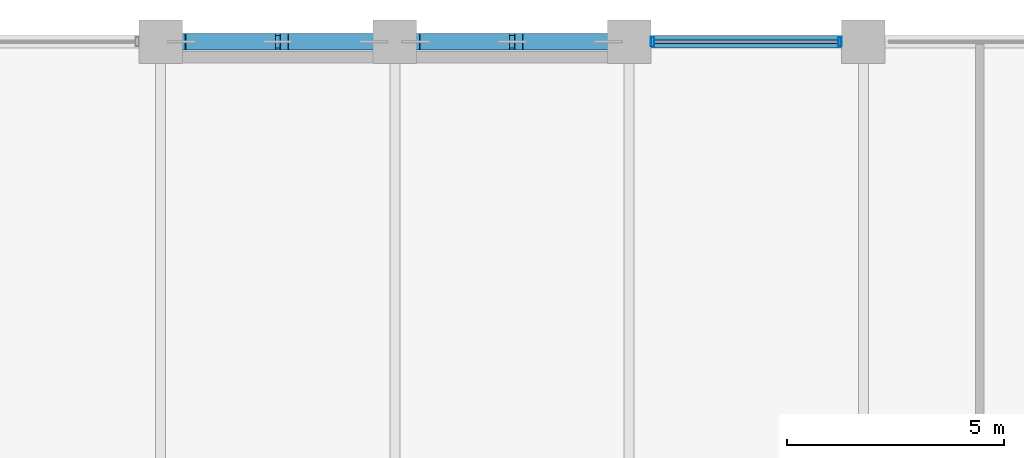
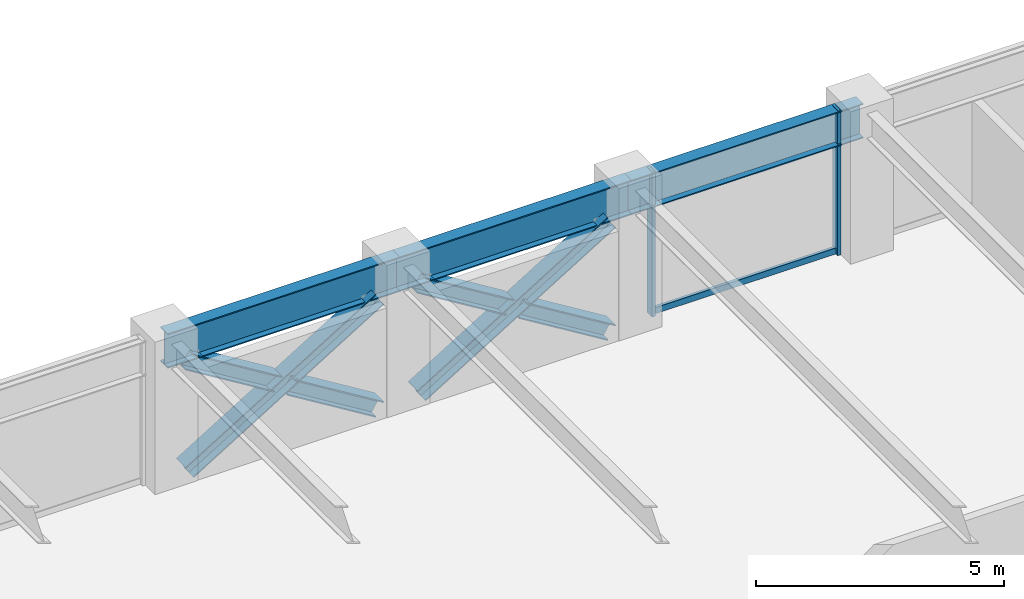
# One storey, part 18 of 29: 9 members, 3 beams, 1 element without a shape of its own.
"""IFC4 building model written with IfcOpenShell, lengths in metres."""

import ifcopenshell
import ifcopenshell.guid

model = None  # the IFC model being written
_history = None  # IfcOwnerHistory: only IFC2X3 demands one
_inside = {}  # id of a spatial element -> (the spatial element, [elements in it])
_under = {}  # id of a project, library or spatial element -> (it, [spatial elements below it])
_declared = {}  # id of a project -> (the project, [libraries it declares])
_typed = {}  # id of a type object -> (the type object, [elements of that type])
_made_of = {}  # id of a material, layer set ... -> (it, [elements and type objects made of it])


def new_model(schema):
    """Start an empty IFC model of exactly this schema.

    Asked for "IFC4X3", IfcOpenShell would pick the latest addendum, in which some entities
    have other attributes; the version numbers below select the first issue.
    IFC2X3 requires an IfcOwnerHistory on every rooted entity: one is made here for all.
    """
    global model, _history
    if schema == "IFC4X3":
        model = ifcopenshell.file(schema_version=(4, 3, 0, 0))
    else:
        model = ifcopenshell.file(schema=schema)
    _inside.clear()
    _under.clear()
    _declared.clear()
    _typed.clear()
    _made_of.clear()
    _history = None
    if model.schema == "IFC2X3":
        org = make("IfcOrganization", Name="unknown")
        user = make(
            "IfcPersonAndOrganization",
            ThePerson=make("IfcPerson", FamilyName="unknown"),
            TheOrganization=org,
        )
        app = make(
            "IfcApplication",
            ApplicationDeveloper=org,
            Version="unknown",
            ApplicationFullName="unknown",
            ApplicationIdentifier="unknown",
        )
        _history = make(
            "IfcOwnerHistory",
            OwningUser=user,
            OwningApplication=app,
            ChangeAction="ADDED",
            CreationDate=0,
        )
    return model


def make(cls, **values):
    """One entity of the class cls with the attributes given. An attribute that is None is left unset."""
    return model.create_entity(
        cls, **{name: value for name, value in values.items() if value is not None}
    )


def rooted(cls, **values):
    """An entity with a GlobalId (a new one), such as an element, a storey or a relation."""
    return make(cls, GlobalId=ifcopenshell.guid.new(), OwnerHistory=_history, **values)


def si_unit(unit_type, name, prefix=None):
    """IfcSIUnit, for example si_unit("LENGTHUNIT", "METRE", prefix="MILLI")."""
    return make("IfcSIUnit", UnitType=unit_type, Prefix=prefix, Name=name)


def assignment(units):
    """IfcUnitAssignment: the units of a project."""
    return None if units is None else make("IfcUnitAssignment", Units=units)


def point(xyz):
    """IfcCartesianPoint."""
    return None if xyz is None else make("IfcCartesianPoint", Coordinates=xyz)


def direction(xyz):
    """IfcDirection."""
    return None if xyz is None else make("IfcDirection", DirectionRatios=xyz)


def frame(location, z_axis=None, x_axis=None):
    """IfcAxis2Placement3D, a coordinate frame: its origin and axes. An axis left out is left unset."""
    return make(
        "IfcAxis2Placement3D",
        Location=point(location),
        Axis=direction(z_axis),
        RefDirection=direction(x_axis),
    )


def frame_2d(location, x_axis=None):
    """IfcAxis2Placement2D, a coordinate frame in the plane: its origin and x axis."""
    return make(
        "IfcAxis2Placement2D", Location=point(location), RefDirection=direction(x_axis)
    )


def origin():
    """The frame at (0, 0, 0) with its axes left unset."""
    return frame((0.0, 0.0, 0.0))


def origin_2d():
    """The frame at (0, 0) in the plane with its x axis left unset."""
    return frame_2d((0.0, 0.0))


def place(relative_to, where):
    """IfcLocalPlacement: puts the frame where relative to a parent placement (None: the world)."""
    return make(
        "IfcLocalPlacement", PlacementRelTo=relative_to, RelativePlacement=where
    )


def context(
    kind, dimensions, precision=None, world=None, true_north=None, identifier=None
):
    """IfcGeometricRepresentationContext, for example the 3D "Model" context."""
    return make(
        "IfcGeometricRepresentationContext",
        ContextIdentifier=identifier,
        ContextType=kind,
        CoordinateSpaceDimension=dimensions,
        Precision=precision,
        WorldCoordinateSystem=world,
        TrueNorth=true_north,
    )


def subcontext(parent, identifier, kind, view, scale=None):
    """IfcGeometricRepresentationSubContext, for example "Body" below "Model"."""
    return make(
        "IfcGeometricRepresentationSubContext",
        ContextIdentifier=identifier,
        ContextType=kind,
        ParentContext=parent,
        TargetScale=scale,
        TargetView=view,
    )


def project(units=None, contexts=None):
    """IfcProject with its units and contexts."""
    return rooted(
        "IfcProject",
        Name="project",
        RepresentationContexts=contexts,
        UnitsInContext=assignment(units),
    )


def spatial(cls, under=None, at=None, **own):
    """A site, building, storey or space (cls), placed at a placement, below another one or the project."""
    s = rooted(cls, ObjectPlacement=at, **own)
    if under is not None:
        _under.setdefault(under.id(), (under, []))[1].append(s)
    return s


def profile(cls, at=None, kind="AREA", **sizes):
    """A parametric profile (cls). Its sizes go by their IFC names, for example OverallWidth=200.0."""
    return make(cls, ProfileType=kind, Position=at, **sizes)


def hollow_rectangle(**sizes):
    """IfcRectangleHollowProfileDef."""
    return profile("IfcRectangleHollowProfileDef", **sizes)


def i_section(**sizes):
    """IfcIShapeProfileDef."""
    return profile("IfcIShapeProfileDef", **sizes)


def extrude(swept, where, along, depth):
    """IfcExtrudedAreaSolid: the profile swept, set in the frame where, extruded along a direction by depth."""
    return make(
        "IfcExtrudedAreaSolid",
        SweptArea=swept,
        Position=where,
        ExtrudedDirection=direction(along),
        Depth=depth,
    )


def shape(context_of_items, identifier, shape_type, items):
    """IfcShapeRepresentation: the items that make up one representation, for example the "Body"."""
    return make(
        "IfcShapeRepresentation",
        ContextOfItems=context_of_items,
        RepresentationIdentifier=identifier,
        RepresentationType=shape_type,
        Items=items,
    )


def material(Name=None, Category=None):
    """IfcMaterial."""
    return make("IfcMaterial", Name=Name, Category=Category)


def layer(
    of_material, thickness, ventilated=None, Name=None, Category=None, Priority=None
):
    """IfcMaterialLayer: one layer of a wall or slab, of a material (None: an air gap)."""
    return make(
        "IfcMaterialLayer",
        Material=of_material,
        LayerThickness=thickness,
        IsVentilated=ventilated,
        Name=Name,
        Category=Category,
        Priority=Priority,
    )


def layer_set(layers, Name=None):
    """IfcMaterialLayerSet."""
    return make("IfcMaterialLayerSet", MaterialLayers=layers, LayerSetName=Name)


def material_profile(
    of_material, cross_section, Name=None, Category=None, Priority=None
):
    """IfcMaterialProfile: a cross section and its material."""
    return make(
        "IfcMaterialProfile",
        Name=Name,
        Material=of_material,
        Profile=cross_section,
        Priority=Priority,
        Category=Category,
    )


def profile_set(profiles, Name=None, composite=None):
    """IfcMaterialProfileSet."""
    return make(
        "IfcMaterialProfileSet",
        Name=Name,
        MaterialProfiles=profiles,
        CompositeProfile=composite,
    )


def made_of(thing, what):
    """Note that an element or type object is made of a material, layer set ...; save() writes the relation."""
    if what is not None:
        _made_of.setdefault(what.id(), (what, []))[1].append(thing)
    return thing


def type_object(cls, material=None, **own):
    """A type object (cls), such as IfcWallType, which elements share."""
    return made_of(rooted(cls, **own), material)


def element(
    cls,
    number,
    at=None,
    inside=None,
    cuts=None,
    type_object=None,
    material=None,
    context=None,
    identifier="Body",
    shape_type=None,
    held_by="IfcProductDefinitionShape",
    body=None,
    shapes=None,
    **own,
):
    """One element of the class cls, such as IfcWall. Its Tag is "e" and its number.

    at: its placement. inside: the storey or other place that contains it. cuts: it is an
    opening in that element (IfcRelVoidsElement). A single representation is given by context,
    identifier, shape_type and body (its items); several are given by shapes. held_by: the class
    of the entity that holds the representations. save() writes the other relations.
    """
    e = rooted(cls, Tag="e%d" % number, ObjectPlacement=at, **own)
    if body is not None:
        shapes = [shape(context, identifier, shape_type, body)]
    if shapes is not None:
        e.Representation = make(held_by, Representations=shapes)
    if inside is not None:
        _inside.setdefault(inside.id(), (inside, []))[1].append(e)
    if cuts is not None:
        rooted(
            "IfcRelVoidsElement", RelatingBuildingElement=cuts, RelatedOpeningElement=e
        )
    if type_object is not None:
        _typed.setdefault(type_object.id(), (type_object, []))[1].append(e)
    return made_of(e, material)


def aggregate(whole, parts):
    """IfcRelAggregates: a whole, such as a stair, and the parts it consists of."""
    return rooted("IfcRelAggregates", RelatingObject=whole, RelatedObjects=parts)


def save(model, path):
    """Write the relations noted so far, then the file.

    IfcRelAggregates (storeys below a building ...), IfcRelContainedInSpatialStructure (elements
    in a storey), IfcRelDefinesByType, IfcRelAssociatesMaterial and IfcRelDeclares: one each for
    every whole, place, type object, material and project.
    """
    for whole, parts in _under.values():
        aggregate(whole, parts)
    for where, things in _inside.values():
        rooted(
            "IfcRelContainedInSpatialStructure",
            RelatedElements=things,
            RelatingStructure=where,
        )
    for kind, things in _typed.values():
        rooted("IfcRelDefinesByType", RelatedObjects=things, RelatingType=kind)
    for what, things in _made_of.values():
        rooted("IfcRelAssociatesMaterial", RelatedObjects=things, RelatingMaterial=what)
    for by, libraries in _declared.values():
        rooted("IfcRelDeclares", RelatingContext=by, RelatedDefinitions=libraries)
    model.write(path)


model = new_model("IFC4")

# Units and contexts
model_context = context("Model", 3, precision=1e-05, world=origin(), true_north=direction((0.0, 1.0)))
body_context = subcontext(model_context, "Body", "Model", "MODEL_VIEW")
ifc_project = project(units=[si_unit("LENGTHUNIT", "METRE"), si_unit("AREAUNIT", "SQUARE_METRE"), si_unit("VOLUMEUNIT", "CUBIC_METRE"), si_unit("PLANEANGLEUNIT", "RADIAN"), si_unit("MASSUNIT", "GRAM", prefix="KILO")], contexts=[model_context])

# Site, building, storey
site_placement = place(None, origin())
site = spatial("IfcSite", under=ifc_project, at=site_placement, CompositionType="ELEMENT")
building_placement = place(site_placement, origin())
building = spatial("IfcBuilding", under=site, at=building_placement, Name="Surkhivell Harbour Commons", CompositionType="ELEMENT")
storey_placement = place(building_placement, frame((0.0, 0.0, 154.5)))
storey = spatial("IfcBuildingStorey", under=building, at=storey_placement, Name="L40", CompositionType="ELEMENT", Elevation=154.5)

# Beams
ifc_material_1 = material(Name="Steel S460", Category="steel")
ifc_material_profile_1 = material_profile(ifc_material_1, i_section(OverallWidth=0.2939453125, OverallDepth=0.85107421875, WebThickness=0.01611328125, FlangeThickness=0.02685546875, at=origin_2d()), Name="UB838x292x226")
ifc_profile_set_1 = profile_set([ifc_material_profile_1], Name="Steel S460")
beam_type = type_object("IfcBeamType", Name="BM-SPN-838", PredefinedType="SPANDREL", material=ifc_profile_set_1)
for number, where, z_axis, x_axis, name in (
    (1, (-5.39990234375, 25.89990234375, 3.14453125), (1.0, 0.0, 0.0), (0.0, 1.0, 0.0), "L40 Tube Spandrel (-5.4,25.9)"),
    (2, (0.0, 25.89990234375, 3.14453125), (1.0, 0.0, 0.0), (0.0, 1.0, 0.0), "L40 Tube Spandrel (-0.0,25.9)"),
):
    element("IfcBeam", number, at=place(storey_placement, frame(where, z_axis=z_axis, x_axis=x_axis)), inside=storey, type_object=beam_type, Name=name, PredefinedType="SPANDREL", context=body_context, shape_type="SweptSolid", body=[
        extrude(i_section(OverallWidth=0.2939453125, OverallDepth=0.85107421875, WebThickness=0.01611328125, FlangeThickness=0.02685546875, at=origin_2d()), origin(), (0.0, 0.0, 1.0), 5.39990234375),
    ])
beam_placement = place(storey_placement, frame((5.39990234375, 25.89990234375, 3.14453125), z_axis=(1.0, 0.0, 0.0), x_axis=(0.0, 1.0, 0.0)))
element("IfcBeam", 3, at=beam_placement, inside=storey, type_object=beam_type, Name="L40 Tube Spandrel (5.4,25.9)", PredefinedType="SPANDREL", context=body_context, shape_type="SweptSolid", body=[
    extrude(i_section(OverallWidth=0.2939453125, OverallDepth=0.85107421875, WebThickness=0.01611328125, FlangeThickness=0.02685546875, at=origin_2d()), origin(), (0.0, 0.0, 1.0), 5.400146484375),
])

# Curtain wall, members
ifc_material_2 = material(Name="Anodised pale-metal aluminium and insulated glazing", Category="aluminium")
ifc_layer = layer(ifc_material_2, 0.205078125)
ifc_layer_set = layer_set([ifc_layer], Name="Anodised pale-metal aluminium and insulated glazing")
curtain_wall_type = type_object("IfcCurtainWallType", Name="CW-SYS-Z2", PredefinedType="NOTDEFINED", material=ifc_layer_set)
curtain_wall_placement = place(storey_placement, origin())
curtain_wall = element("IfcCurtainWall", 4, at=curtain_wall_placement, inside=storey, type_object=curtain_wall_type, Name="L40 Curtain Wall CW-L40-E07S1", PredefinedType="NOTDEFINED")
ifc_material_3 = material(Name="Anodised pale-metal aluminium alloy 6063-T6", Category="aluminium")
ifc_material_profile_2 = material_profile(ifc_material_3, hollow_rectangle(XDim=0.074951171875, YDim=0.219970703125, WallThickness=0.00390625, at=origin_2d()), Name="ALU-MULL-75x220")
ifc_profile_set_2 = profile_set([ifc_material_profile_2], Name="Anodised pale-metal aluminium alloy 6063-T6")
member_type_1 = type_object("IfcMemberType", Name="CWM-220", PredefinedType="MULLION", material=ifc_profile_set_2)
member_1_placement = place(storey_placement, frame((10.260498046875, 25.89990234375, 0.0), z_axis=(0.0, 0.0, 1.0), x_axis=(-1.0, 0.0, 0.0)))
member_1 = element("IfcMember", 5, at=member_1_placement, type_object=member_type_1, Name="CW-Z2 mullion 2", PredefinedType="MULLION", context=body_context, shape_type="SweptSolid", body=[
    extrude(hollow_rectangle(XDim=0.074951171875, YDim=0.219970703125, WallThickness=0.00390625, at=origin_2d()), origin(), (0.0, 0.0, 1.0), 3.570068359375),
])
member_2_placement = place(storey_placement, frame((5.939453125, 25.89990234375, 0.0), z_axis=(0.0, 0.0, 1.0), x_axis=(-1.0, 0.0, 0.0)))
member_2 = element("IfcMember", 6, at=member_2_placement, type_object=member_type_1, Name="CW-Z2 mullion 3", PredefinedType="MULLION", context=body_context, shape_type="SweptSolid", body=[
    extrude(hollow_rectangle(XDim=0.074951171875, YDim=0.219970703125, WallThickness=0.00390625, at=origin_2d()), origin(), (0.0, 0.0, 1.0), 3.570068359375),
])
ifc_material_profile_3 = material_profile(ifc_material_3, hollow_rectangle(XDim=0.074951171875, YDim=0.14990234375, WallThickness=0.00341796875, at=origin_2d()), Name="ALU-TRAN-75x150")
ifc_profile_set_3 = profile_set([ifc_material_profile_3], Name="Anodised pale-metal aluminium alloy 6063-T6")
member_type_2 = type_object("IfcMemberType", Name="CWT-150", PredefinedType="USERDEFINED", material=ifc_profile_set_3)
member_3_placement = place(storey_placement, frame((10.222900390625, 25.89990234375, 0.074951171875), z_axis=(-1.0, 0.0, 0.0), x_axis=(0.0, -1.0, 0.0)))
member_3 = element("IfcMember", 7, at=member_3_placement, type_object=member_type_2, Name="CW-Z2 transom 2.1", ObjectType="TRANSOM", PredefinedType="USERDEFINED", context=body_context, shape_type="SweptSolid", body=[
    extrude(hollow_rectangle(XDim=0.074951171875, YDim=0.14990234375, WallThickness=0.00341796875, at=origin_2d()), origin(), (0.0, 0.0, 1.0), 4.245849609375),
])
aggregate(curtain_wall, [member_1, member_2, member_3])

# Members
ifc_material_profile_4 = material_profile(ifc_material_1, i_section(OverallWidth=0.375, OverallDepth=0.375, WebThickness=0.0166015625, FlangeThickness=0.027099609375, at=origin_2d()), Name="UC356x368x202")
ifc_profile_set_4 = profile_set([ifc_material_profile_4], Name="Steel S460")
member_type_3 = type_object("IfcMemberType", Name="MEM-BRC-UC356", PredefinedType="BRACE", material=ifc_profile_set_4)
member_4_placement = place(storey_placement, frame((-4.9150390625, 25.89990234375, 0.008056640625), z_axis=(0.852624888477, 0.0, 0.522523491864), x_axis=(0.0, 1.0, 0.0)))
element("IfcMember", 8, at=member_4_placement, inside=storey, type_object=member_type_3, Name="L40 Perimeter Mega-Brace MB- 01", PredefinedType="BRACE", context=body_context, shape_type="SweptSolid", body=[
    extrude(i_section(OverallWidth=0.375, OverallDepth=0.375, WebThickness=0.0166015625, FlangeThickness=0.027099609375, at=origin_2d()), origin(), (0.0, 0.0, 1.0), 5.195556640625),
])
for number, where, z_axis, x_axis, name in (
    (9, (-0.485107421875, 25.89990234375, 0.008056640625), (-0.852589641581, 0.0, 0.522581001443), (0.0, -1.0, 0.0), "L40 Perimeter Mega-Brace MB- 02"),
    (10, (-2.853515625, 25.89990234375, 1.459716796875), (-0.852662200332, 0.0, 0.522462603567), (0.0, -1.0, 0.0), "L40 Perimeter Mega-Brace MB- 03"),
):
    element("IfcMember", number, at=place(storey_placement, frame(where, z_axis=z_axis, x_axis=x_axis)), inside=storey, type_object=member_type_3, Name=name, PredefinedType="BRACE", context=body_context, shape_type="SweptSolid", body=[
        extrude(i_section(OverallWidth=0.375, OverallDepth=0.375, WebThickness=0.0166015625, FlangeThickness=0.027099609375, at=origin_2d()), origin(), (0.0, 0.0, 1.0), 2.417724609375),
    ])
member_5_placement = place(storey_placement, frame((0.485107421875, 25.89990234375, 0.008056640625), z_axis=(0.852624888477, 0.0, 0.522523491864), x_axis=(0.0, 1.0, 0.0)))
element("IfcMember", 11, at=member_5_placement, inside=storey, type_object=member_type_3, Name="L40 Perimeter Mega-Brace MB- 04", PredefinedType="BRACE", context=body_context, shape_type="SweptSolid", body=[
    extrude(i_section(OverallWidth=0.375, OverallDepth=0.375, WebThickness=0.0166015625, FlangeThickness=0.027099609375, at=origin_2d()), origin(), (0.0, 0.0, 1.0), 5.195556640625),
])
member_6_placement = place(storey_placement, frame((4.9150390625, 25.89990234375, 0.008056640625), z_axis=(-0.852617215241, 0.0, 0.52253601242), x_axis=(0.0, -1.0, 0.0)))
element("IfcMember", 12, at=member_6_placement, inside=storey, type_object=member_type_3, Name="L40 Perimeter Mega-Brace MB- 05", PredefinedType="BRACE", context=body_context, shape_type="SweptSolid", body=[
    extrude(i_section(OverallWidth=0.375, OverallDepth=0.375, WebThickness=0.0166015625, FlangeThickness=0.027099609375, at=origin_2d()), origin(), (0.0, 0.0, 1.0), 2.41796875),
])
member_7_placement = place(storey_placement, frame((2.54638671875, 25.89990234375, 1.459716796875), z_axis=(-0.852634632964, 0.0, 0.522507591017), x_axis=(0.0, -1.0, 0.0)))
element("IfcMember", 13, at=member_7_placement, inside=storey, type_object=member_type_3, Name="L40 Perimeter Mega-Brace MB- 06", PredefinedType="BRACE", context=body_context, shape_type="SweptSolid", body=[
    extrude(i_section(OverallWidth=0.375, OverallDepth=0.375, WebThickness=0.0166015625, FlangeThickness=0.027099609375, at=origin_2d()), origin(), (0.0, 0.0, 1.0), 2.41748046875),
])

save(model, "model.ifc")
